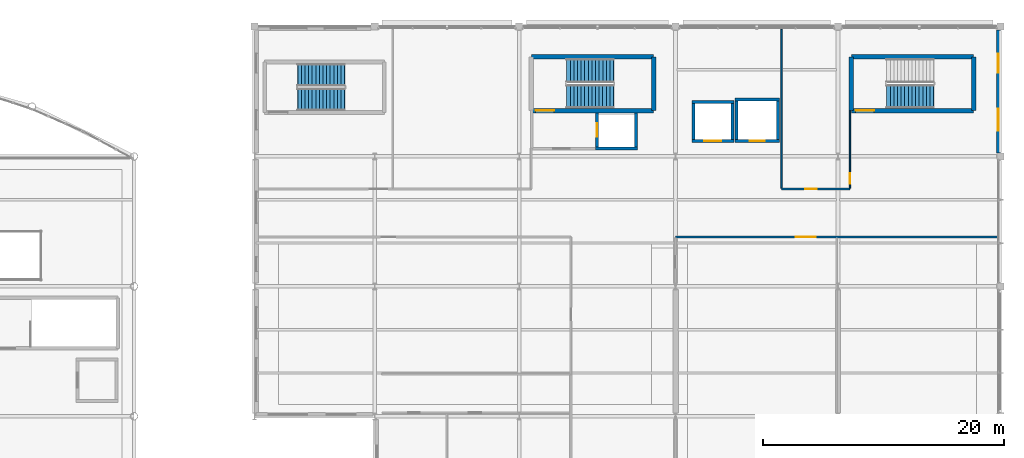
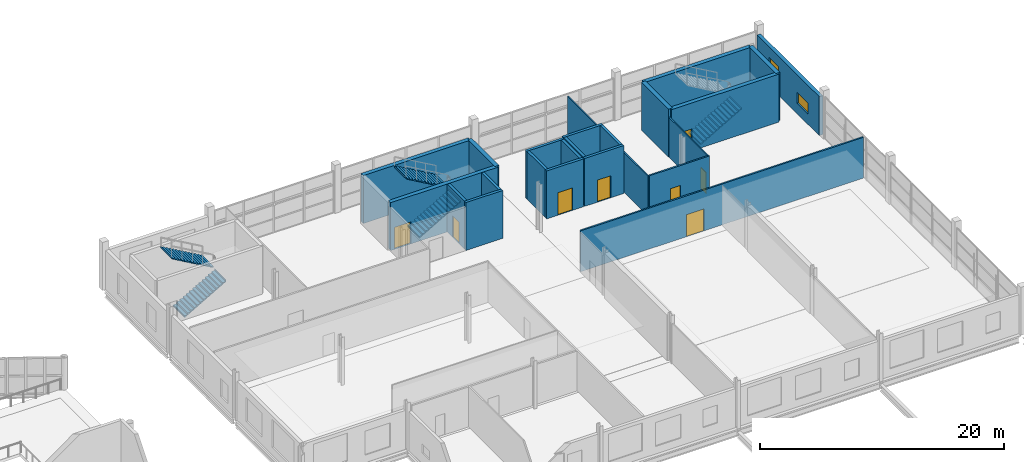
# One storey, part 126 of 134: 23 walls, 8 doors, 5 stair flights, 2 windows, 10 openings, 3 elements without a shape of their own.
"""IFC4 building model written with IfcOpenShell, lengths in metres."""

from ifc_helpers import new_model, si_unit, direction, frame, frame_2d, origin, place, context, subcontext, project, spatial, polyline, rectangle, outline, extrude, material, layer, layer_set, type_object, element, fill, aggregate, save


model = new_model("IFC4")

# Units and contexts
model_context = context("Model", 3, precision=1e-05, world=origin(), true_north=direction((0.0, 1.0)))
body_context = subcontext(model_context, "Body", "Model", "MODEL_VIEW")
ifc_project = project(units=[si_unit("LENGTHUNIT", "METRE"), si_unit("AREAUNIT", "SQUARE_METRE"), si_unit("VOLUMEUNIT", "CUBIC_METRE"), si_unit("PLANEANGLEUNIT", "RADIAN"), si_unit("MASSUNIT", "GRAM", prefix="KILO")], contexts=[model_context])

# Site, building, storey
site_placement = place(None, origin())
site = spatial("IfcSite", under=ifc_project, at=site_placement, CompositionType="ELEMENT")
building_placement = place(site_placement, origin())
building = spatial("IfcBuilding", under=site, at=building_placement, Name="Tamarisk Ironworks Central Station", CompositionType="ELEMENT")
storey_placement = place(building_placement, frame((0.0, 0.0, 12.60009765625)))
storey = spatial("IfcBuildingStorey", under=building, at=storey_placement, Name="L02", CompositionType="ELEMENT", Elevation=12.60009765625)

# Wall, openings, windows
ifc_material_1 = material(Name="Clay facing brickwork and mortar", Category="masonry")
ifc_layer_1 = layer(ifc_material_1, 0.340087890625)
ifc_layer_set_1 = layer_set([ifc_layer_1], Name="Clay facing brickwork and mortar")
wall_type_1 = type_object("IfcWallType", Name="WL-BR340", PredefinedType="STANDARD", material=ifc_layer_set_1)
wall_1_placement = place(storey_placement, frame((179.830078125, 122.10205078125, 0.0), z_axis=(0.0, 0.0, 1.0), x_axis=(0.0, -1.0, 0.0)))
wall_1 = element("IfcWall", 1, at=wall_1_placement, inside=storey, type_object=wall_type_1, Name="L02 brick facade wall 0067", PredefinedType="STANDARD", context=body_context, shape_type="SweptSolid", body=[
    extrude(rectangle(XDim=10.2041015625, YDim=0.340087890625, at=frame_2d((5.10205078125, 0.0))), origin(), (0.0, 0.0, 1.0), 3.89990234375),
])
opening_1_placement = place(wall_1_placement, frame((1.950927734375, 0.0, 0.75)))
opening_1 = element("IfcOpeningElement", 2, at=opening_1_placement, cuts=wall_1, Name="Opening W10", PredefinedType="OPENING", context=body_context, shape_type="SweptSolid", body=[
    extrude(rectangle(XDim=1.60009765625, YDim=2.10009765625, at=frame_2d((0.800048828125, 1.050048828125))), frame((0.0, 0.18212890625, 0.0), z_axis=(0.0, -1.0, 0.0), x_axis=(1.0, 0.0, 0.0)), (0.0, 0.0, 1.0), 0.364013671875),
])
opening_2_placement = place(wall_1_placement, frame((6.552978515625, 0.0, 1.050048828125)))
opening_2 = element("IfcOpeningElement", 3, at=opening_2_placement, cuts=wall_1, Name="Opening W18", PredefinedType="OPENING", context=body_context, shape_type="SweptSolid", body=[
    extrude(rectangle(XDim=1.800048828125, YDim=1.10009765625, at=frame_2d((0.89990234375, 0.550048828125))), frame((0.0, 0.18212890625, 0.0), z_axis=(0.0, -1.0, 0.0), x_axis=(1.0, 0.0, 0.0)), (0.0, 0.0, 1.0), 0.364013671875),
])
ifc_material_2 = material(Name="Laminated solar-control low-E glass", Category="glass")
window_type_1 = type_object("IfcWindowType", Name="WN-10", PartitioningType="SINGLE_PANEL", PredefinedType="WINDOW", material=ifc_material_2)
window_1_placement = place(opening_1_placement, origin())
window_1 = element("IfcWindow", 4, at=window_1_placement, inside=storey, type_object=window_type_1, Name="L02 exterior window 0107", OverallHeight=2.10009765625, OverallWidth=1.60009765625, PartitioningType="DOUBLE_PANEL_VERTICAL", PredefinedType="WINDOW", context=body_context, shape_type="SweptSolid", body=[
    extrude(rectangle(XDim=1.60009765625, YDim=2.10009765625, at=frame_2d((0.800048828125, 1.050048828125))), frame((0.0, 0.030029296875, 0.0), z_axis=(0.0, -1.0, 0.0), x_axis=(1.0, 0.0, 0.0)), (0.0, 0.0, 1.0), 0.06005859375),
])
fill(opening_1, window_1)
window_type_2 = type_object("IfcWindowType", Name="WN-18", PartitioningType="SINGLE_PANEL", PredefinedType="WINDOW", material=ifc_material_2)
window_2_placement = place(opening_2_placement, origin())
window_2 = element("IfcWindow", 5, at=window_2_placement, inside=storey, type_object=window_type_2, Name="L02 exterior window 0108", OverallHeight=1.10009765625, OverallWidth=1.800048828125, PartitioningType="DOUBLE_PANEL_VERTICAL", PredefinedType="WINDOW", context=body_context, shape_type="SweptSolid", body=[
    extrude(rectangle(XDim=1.800048828125, YDim=1.10009765625, at=frame_2d((0.89990234375, 0.550048828125))), frame((0.0, 0.030029296875, 0.0), z_axis=(0.0, -1.0, 0.0), x_axis=(1.0, 0.0, 0.0)), (0.0, 0.0, 1.0), 0.06005859375),
])
fill(opening_2, window_2)

# Wall, opening, door
ifc_material_3 = material(Name="Concrete C50/60", Category="concrete")
ifc_layer_2 = layer(ifc_material_3, 0.3798828125)
ifc_layer_set_2 = layer_set([ifc_layer_2], Name="Concrete C50/60")
wall_type_2 = type_object("IfcWallType", Name="WL-CW380", PredefinedType="SOLIDWALL", material=ifc_layer_set_2)
wall_2_placement = place(storey_placement, frame((141.014892578125, 115.4150390625, 0.0), z_axis=(0.0, 0.0, 1.0), x_axis=(1.0, 0.0, 0.0)))
wall_2 = element("IfcWall", 6, at=wall_2_placement, inside=storey, type_object=wall_type_2, Name="ST-C1 core wall L (L02)", PredefinedType="SOLIDWALL", context=body_context, shape_type="SweptSolid", body=[
    extrude(rectangle(XDim=10.170166015625, YDim=0.3798828125, at=frame_2d((5.0849609375, 0.0))), origin(), (0.0, 0.0, 1.0), 4.7998046875),
])
opening_3_placement = place(wall_2_placement, frame((0.35009765625, 0.0, 0.0048828125)))
opening_3 = element("IfcOpeningElement", 7, at=opening_3_placement, cuts=wall_2, Name="Opening FD04", PredefinedType="OPENING", context=body_context, shape_type="SweptSolid", body=[
    extrude(rectangle(XDim=1.550048828125, YDim=2.199951171875, at=frame_2d((0.77490234375, 1.10009765625))), frame((0.0, 0.201904296875, 0.0), z_axis=(0.0, -1.0, 0.0), x_axis=(1.0, 0.0, 0.0)), (0.0, 0.0, 1.0), 0.40380859375),
])
ifc_material_4 = material(Name="Galvanised hollow-metal door steel", Category="steel")
door_type_1 = type_object("IfcDoorType", Name="DR-FD04", OperationType="NOTDEFINED", PredefinedType="DOOR", material=ifc_material_4)
door_1_placement = place(opening_3_placement, origin())
door_1 = element("IfcDoor", 8, at=door_1_placement, inside=storey, type_object=door_type_1, Name="ST-C1 fire stair door (L02)", OperationType="SINGLE_SWING_LEFT", OverallHeight=2.199951171875, OverallWidth=1.550048828125, PredefinedType="DOOR", context=body_context, shape_type="SweptSolid", body=[
    extrude(rectangle(XDim=1.550048828125, YDim=2.199951171875, at=frame_2d((0.77490234375, 1.10009765625))), frame((0.0, 0.02490234375, 0.0), z_axis=(0.0, -1.0, 0.0), x_axis=(1.0, 0.0, 0.0)), (0.0, 0.0, 1.0), 0.050048828125),
])
fill(opening_3, door_1)

# Walls
wall_3_placement = place(storey_placement, frame((141.014892578125, 119.885009765625, 0.0), z_axis=(0.0, 0.0, 1.0), x_axis=(1.0, 0.0, 0.0)))
element("IfcWall", 9, at=wall_3_placement, inside=storey, type_object=wall_type_2, Name="ST-C1 core wall R (L02)", PredefinedType="SOLIDWALL", context=body_context, shape_type="SweptSolid", body=[
    extrude(rectangle(XDim=10.170166015625, YDim=0.3798828125, at=frame_2d((5.0849609375, 0.0))), origin(), (0.0, 0.0, 1.0), 4.7998046875),
])
wall_4_placement = place(storey_placement, frame((151.18505859375, 115.4150390625, 0.0), z_axis=(0.0, 0.0, 1.0), x_axis=(0.0, 1.0, 0.0)))
element("IfcWall", 10, at=wall_4_placement, inside=storey, type_object=wall_type_2, Name="ST-C1 core wall F (L02)", PredefinedType="SOLIDWALL", context=body_context, shape_type="SweptSolid", body=[
    extrude(rectangle(XDim=4.469970703125, YDim=0.3798828125, at=frame_2d((2.23486328125, 0.0))), origin(), (0.0, 0.0, 1.0), 4.7998046875),
])

# Wall, opening, door
wall_5_placement = place(storey_placement, frame((167.614990234375, 115.4150390625, 0.0), z_axis=(0.0, 0.0, 1.0), x_axis=(1.0, 0.0, 0.0)))
wall_5 = element("IfcWall", 11, at=wall_5_placement, inside=storey, type_object=wall_type_2, Name="ST-C2 core wall L (L02)", PredefinedType="SOLIDWALL", context=body_context, shape_type="SweptSolid", body=[
    extrude(rectangle(XDim=10.169921875, YDim=0.3798828125, at=frame_2d((5.0849609375, 0.0))), origin(), (0.0, 0.0, 1.0), 4.7998046875),
])
opening_4_placement = place(wall_5_placement, frame((0.35009765625, 0.0, 0.0048828125)))
opening_4 = element("IfcOpeningElement", 12, at=opening_4_placement, cuts=wall_5, Name="Opening FD04", PredefinedType="OPENING", context=body_context, shape_type="SweptSolid", body=[
    extrude(rectangle(XDim=1.550048828125, YDim=2.199951171875, at=frame_2d((0.77490234375, 1.10009765625))), frame((0.0, 0.201904296875, 0.0), z_axis=(0.0, -1.0, 0.0), x_axis=(1.0, 0.0, 0.0)), (0.0, 0.0, 1.0), 0.40380859375),
])
door_2_placement = place(opening_4_placement, origin())
door_2 = element("IfcDoor", 13, at=door_2_placement, inside=storey, type_object=door_type_1, Name="ST-C2 fire stair door (L02)", OperationType="SINGLE_SWING_LEFT", OverallHeight=2.199951171875, OverallWidth=1.550048828125, PredefinedType="DOOR", context=body_context, shape_type="SweptSolid", body=[
    extrude(rectangle(XDim=1.550048828125, YDim=2.199951171875, at=frame_2d((0.77490234375, 1.10009765625))), frame((0.0, 0.02490234375, 0.0), z_axis=(0.0, -1.0, 0.0), x_axis=(1.0, 0.0, 0.0)), (0.0, 0.0, 1.0), 0.050048828125),
])
fill(opening_4, door_2)

# Walls
wall_6_placement = place(storey_placement, frame((167.614990234375, 119.885009765625, 0.0), z_axis=(0.0, 0.0, 1.0), x_axis=(1.0, 0.0, 0.0)))
element("IfcWall", 14, at=wall_6_placement, inside=storey, type_object=wall_type_2, Name="ST-C2 core wall R (L02)", PredefinedType="SOLIDWALL", context=body_context, shape_type="SweptSolid", body=[
    extrude(rectangle(XDim=10.169921875, YDim=0.3798828125, at=frame_2d((5.0849609375, 0.0))), origin(), (0.0, 0.0, 1.0), 4.7998046875),
])
for number, where, z_axis, x_axis, name in (
    (15, (167.614990234375, 115.4150390625, 0.0), (0.0, 0.0, 1.0), (0.0, 1.0, 0.0), "ST-C2 core wall N (L02)"),
    (16, (177.784912109375, 115.4150390625, 0.0), (0.0, 0.0, 1.0), (0.0, 1.0, 0.0), "ST-C2 core wall F (L02)"),
):
    element("IfcWall", number, at=place(storey_placement, frame(where, z_axis=z_axis, x_axis=x_axis)), inside=storey, type_object=wall_type_2, Name=name, PredefinedType="SOLIDWALL", context=body_context, shape_type="SweptSolid", body=[
        extrude(rectangle(XDim=4.469970703125, YDim=0.3798828125, at=frame_2d((2.23486328125, 0.0))), origin(), (0.0, 0.0, 1.0), 4.7998046875),
    ])

# Wall, opening, door
ifc_material_5 = material(Name="Gypsum plasterboard acoustic partition")
ifc_layer_3 = layer(ifc_material_5, 0.1201171875)
ifc_layer_set_3 = layer_set([ifc_layer_3], Name="Gypsum plasterboard acoustic partition")
wall_type_3 = type_object("IfcWallType", Name="WL-PT120", PredefinedType="PARTITIONING", material=ifc_layer_set_3)
wall_7_placement = place(storey_placement, frame((167.5, 108.972900390625, 0.0), z_axis=(0.0, 0.0, 1.0), x_axis=(0.0, 1.0, 0.0)))
wall_7 = element("IfcWall", 17, at=wall_7_placement, inside=storey, type_object=wall_type_3, Name="L02 interior partition 0097", PredefinedType="PARTITIONING", context=body_context, shape_type="SweptSolid", body=[
    extrude(rectangle(XDim=6.427001953125, YDim=0.1201171875, at=frame_2d((3.21337890625, 0.0))), origin(), (0.0, 0.0, 1.0), 3.989990234375),
])
opening_5_placement = place(wall_7_placement, frame((0.35009765625, 0.0, 0.0048828125)))
opening_5 = element("IfcOpeningElement", 18, at=opening_5_placement, cuts=wall_7, Name="Opening D08", PredefinedType="OPENING", context=body_context, shape_type="SweptSolid", body=[
    extrude(rectangle(XDim=0.89990234375, YDim=2.10009765625, at=frame_2d((0.449951171875, 1.050048828125))), frame((0.0, 0.072021484375, 0.0), z_axis=(0.0, -1.0, 0.0), x_axis=(1.0, 0.0, 0.0)), (0.0, 0.0, 1.0), 0.14404296875),
])
ifc_material_6 = material(Name="FSC certified tropical hardwood timber", Category="wood")
door_type_2 = type_object("IfcDoorType", Name="DR-ID08", OperationType="NOTDEFINED", PredefinedType="DOOR", material=ifc_material_6)
door_3_placement = place(opening_5_placement, origin())
door_3 = element("IfcDoor", 19, at=door_3_placement, inside=storey, type_object=door_type_2, Name="L02 room door 0070", OperationType="SINGLE_SWING_RIGHT", OverallHeight=2.10009765625, OverallWidth=0.89990234375, PredefinedType="DOOR", context=body_context, shape_type="SweptSolid", body=[
    extrude(rectangle(XDim=0.89990234375, YDim=2.10009765625, at=frame_2d((0.449951171875, 1.050048828125))), frame((0.0, 0.02490234375, 0.0), z_axis=(0.0, -1.0, 0.0), x_axis=(1.0, 0.0, 0.0)), (0.0, 0.0, 1.0), 0.050048828125),
])
fill(opening_5, door_3)

# Wall
wall_8_placement = place(storey_placement, frame((161.800048828125, 108.972900390625, 0.0), z_axis=(0.0, 0.0, 1.0), x_axis=(0.0, 1.0, 0.0)))
element("IfcWall", 20, at=wall_8_placement, inside=storey, type_object=wall_type_3, Name="L02 interior partition 0098", PredefinedType="PARTITIONING", context=body_context, shape_type="SweptSolid", body=[
    extrude(rectangle(XDim=13.189208984375, YDim=0.1201171875, at=frame_2d((6.5947265625, 0.0))), origin(), (0.0, 0.0, 1.0), 3.989990234375),
])

# Wall, opening, door
ifc_layer_4 = layer(ifc_material_5, 0.14990234375)
ifc_layer_set_4 = layer_set([ifc_layer_4], Name="Gypsum plasterboard acoustic partition")
wall_type_4 = type_object("IfcWallType", Name="WL-PT150", PredefinedType="PARTITIONING", material=ifc_layer_set_4)
wall_9_placement = place(storey_placement, frame((153.0, 104.89990234375, 0.0), z_axis=(0.0, 0.0, 1.0), x_axis=(1.0, 0.0, 0.0)))
wall_9 = element("IfcWall", 21, at=wall_9_placement, inside=storey, type_object=wall_type_4, Name="L02 interior partition 0088", PredefinedType="PARTITIONING", context=body_context, shape_type="SweptSolid", body=[
    extrude(rectangle(XDim=26.761962890625, YDim=0.14990234375, at=frame_2d((13.380859375, 0.0))), origin(), (0.0, 0.0, 1.0), 4.08984375),
])
opening_6_placement = place(wall_9_placement, frame((10.0, 0.0, 0.0048828125)))
opening_6 = element("IfcOpeningElement", 22, at=opening_6_placement, cuts=wall_9, Name="Opening D03", PredefinedType="OPENING", context=body_context, shape_type="SweptSolid", body=[
    extrude(rectangle(XDim=1.64990234375, YDim=2.199951171875, at=frame_2d((0.824951171875, 1.10009765625))), frame((0.0, 0.0869140625, 0.0), z_axis=(0.0, -1.0, 0.0), x_axis=(1.0, 0.0, 0.0)), (0.0, 0.0, 1.0), 0.173828125),
])
door_type_3 = type_object("IfcDoorType", Name="DR-ID03", OperationType="NOTDEFINED", PredefinedType="DOOR", material=ifc_material_6)
door_4_placement = place(opening_6_placement, origin())
door_4 = element("IfcDoor", 23, at=door_4_placement, inside=storey, type_object=door_type_3, Name="L02 room door 0065", OperationType="DOUBLE_DOOR_SINGLE_SWING", OverallHeight=2.199951171875, OverallWidth=1.64990234375, PredefinedType="DOOR", context=body_context, shape_type="SweptSolid", body=[
    extrude(rectangle(XDim=1.64990234375, YDim=2.199951171875, at=frame_2d((0.824951171875, 1.10009765625))), frame((0.0, 0.02490234375, 0.0), z_axis=(0.0, -1.0, 0.0), x_axis=(1.0, 0.0, 0.0)), (0.0, 0.0, 1.0), 0.050048828125),
])
fill(opening_6, door_4)

wall_10_placement = place(storey_placement, frame((161.800048828125, 108.89990234375, 0.0), z_axis=(0.0, 0.0, 1.0), x_axis=(1.0, 0.0, 0.0)))
wall_10 = element("IfcWall", 24, at=wall_10_placement, inside=storey, type_object=wall_type_4, Name="L02 interior partition 0096", PredefinedType="PARTITIONING", context=body_context, shape_type="SweptSolid", body=[
    extrude(rectangle(XDim=5.699951171875, YDim=0.14990234375, at=frame_2d((2.85009765625, 0.0))), origin(), (0.0, 0.0, 1.0), 4.08984375),
])
opening_7_placement = place(wall_10_placement, frame((2.0, 0.0, 0.0048828125)))
opening_7 = element("IfcOpeningElement", 25, at=opening_7_placement, cuts=wall_10, Name="Opening D07", PredefinedType="OPENING", context=body_context, shape_type="SweptSolid", body=[
    extrude(rectangle(XDim=0.949951171875, YDim=2.10009765625, at=frame_2d((0.47509765625, 1.050048828125))), frame((0.0, 0.0869140625, 0.0), z_axis=(0.0, -1.0, 0.0), x_axis=(1.0, 0.0, 0.0)), (0.0, 0.0, 1.0), 0.173828125),
])
door_type_4 = type_object("IfcDoorType", Name="DR-ID07", OperationType="NOTDEFINED", PredefinedType="DOOR", material=ifc_material_6)
door_5_placement = place(opening_7_placement, origin())
door_5 = element("IfcDoor", 26, at=door_5_placement, inside=storey, type_object=door_type_4, Name="L02 room door 0069", OperationType="SINGLE_SWING_LEFT", OverallHeight=2.10009765625, OverallWidth=0.949951171875, PredefinedType="DOOR", context=body_context, shape_type="SweptSolid", body=[
    extrude(rectangle(XDim=0.949951171875, YDim=2.10009765625, at=frame_2d((0.47509765625, 1.050048828125))), frame((0.0, 0.02490234375, 0.0), z_axis=(0.0, -1.0, 0.0), x_axis=(1.0, 0.0, 0.0)), (0.0, 0.0, 1.0), 0.050048828125),
])
fill(opening_7, door_5)

# Wall
ifc_layer_5 = layer(ifc_material_3, 0.25)
ifc_layer_set_5 = layer_set([ifc_layer_5], Name="Concrete C50/60")
wall_type_5 = type_object("IfcWallType", Name="WL-SH250", PredefinedType="SOLIDWALL", material=ifc_layer_set_5)
wall_11_placement = place(storey_placement, frame((146.35009765625, 112.27490234375, 0.0), z_axis=(0.0, 0.0, 1.0), x_axis=(1.0, 0.0, 0.0)))
element("IfcWall", 27, at=wall_11_placement, inside=storey, type_object=wall_type_5, Name="LF-FF1 lift shaft wall S (L02)", PredefinedType="SOLIDWALL", context=body_context, shape_type="SweptSolid", body=[
    extrude(rectangle(XDim=3.5, YDim=0.25, at=frame_2d((1.75, 0.0))), origin(), (0.0, 0.0, 1.0), 4.7998046875),
])

# Wall, opening, door
wall_12_placement = place(storey_placement, frame((146.47509765625, 112.39990234375, 0.0), z_axis=(0.0, 0.0, 1.0), x_axis=(0.0, 1.0, 0.0)))
wall_12 = element("IfcWall", 28, at=wall_12_placement, inside=storey, type_object=wall_type_5, Name="LF-FF1 lift shaft wall W (L02)", PredefinedType="SOLIDWALL", context=body_context, shape_type="SweptSolid", body=[
    extrude(rectangle(XDim=2.800048828125, YDim=0.25, at=frame_2d((1.39990234375, 0.0))), origin(), (0.0, 0.0, 1.0), 4.7998046875),
])
opening_8_placement = place(wall_12_placement, frame((0.85009765625, 0.0, 0.0048828125)))
opening_8 = element("IfcOpeningElement", 29, at=opening_8_placement, cuts=wall_12, Name="Opening LD03", PredefinedType="OPENING", context=body_context, shape_type="SweptSolid", body=[
    extrude(rectangle(XDim=1.10009765625, YDim=2.14990234375, at=frame_2d((0.550048828125, 1.074951171875))), frame((0.0, 0.136962890625, 0.0), z_axis=(0.0, -1.0, 0.0), x_axis=(1.0, 0.0, 0.0)), (0.0, 0.0, 1.0), 0.27392578125),
])
ifc_material_7 = material(Name="Brushed stainless steel AISI 316", Category="steel")
door_type_5 = type_object("IfcDoorType", Name="DR-LD03", OperationType="NOTDEFINED", PredefinedType="DOOR", material=ifc_material_7)
door_6_placement = place(opening_8_placement, origin())
door_6 = element("IfcDoor", 30, at=door_6_placement, inside=storey, type_object=door_type_5, Name="LF-FF1 sliding lift landing door (L02)", OperationType="SLIDING_TO_LEFT", OverallHeight=2.14990234375, OverallWidth=1.10009765625, PredefinedType="DOOR", context=body_context, shape_type="SweptSolid", body=[
    extrude(rectangle(XDim=1.10009765625, YDim=2.14990234375, at=frame_2d((0.550048828125, 1.074951171875))), frame((0.0, 0.02490234375, 0.0), z_axis=(0.0, -1.0, 0.0), x_axis=(1.0, 0.0, 0.0)), (0.0, 0.0, 1.0), 0.050048828125),
])
fill(opening_8, door_6)

# Wall
wall_13_placement = place(storey_placement, frame((149.72509765625, 112.39990234375, 0.0), z_axis=(0.0, 0.0, 1.0), x_axis=(0.0, 1.0, 0.0)))
element("IfcWall", 31, at=wall_13_placement, inside=storey, type_object=wall_type_5, Name="LF-FF1 lift shaft wall E (L02)", PredefinedType="SOLIDWALL", context=body_context, shape_type="SweptSolid", body=[
    extrude(rectangle(XDim=2.800048828125, YDim=0.25, at=frame_2d((1.39990234375, 0.0))), origin(), (0.0, 0.0, 1.0), 4.7998046875),
])

# Wall, opening, door
wall_14_placement = place(storey_placement, frame((154.35009765625, 112.875, 0.0), z_axis=(0.0, 0.0, 1.0), x_axis=(1.0, 0.0, 0.0)))
wall_14 = element("IfcWall", 32, at=wall_14_placement, inside=storey, type_object=wall_type_5, Name="LF-O1 lift shaft wall S (L02)", PredefinedType="SOLIDWALL", context=body_context, shape_type="SweptSolid", body=[
    extrude(rectangle(XDim=3.5, YDim=0.25, at=frame_2d((1.75, 0.0))), origin(), (0.0, 0.0, 1.0), 4.7998046875),
])
opening_9_placement = place(wall_14_placement, frame((1.050048828125, 0.0, 0.0048828125)))
opening_9 = element("IfcOpeningElement", 33, at=opening_9_placement, cuts=wall_14, Name="Opening LD01", PredefinedType="OPENING", context=body_context, shape_type="SweptSolid", body=[
    extrude(rectangle(XDim=1.39990234375, YDim=2.25, at=frame_2d((0.699951171875, 1.125))), frame((0.0, 0.136962890625, 0.0), z_axis=(0.0, -1.0, 0.0), x_axis=(1.0, 0.0, 0.0)), (0.0, 0.0, 1.0), 0.27392578125),
])
door_type_6 = type_object("IfcDoorType", Name="DR-LD01", OperationType="NOTDEFINED", PredefinedType="DOOR", material=ifc_material_7)
door_7_placement = place(opening_9_placement, origin())
door_7 = element("IfcDoor", 34, at=door_7_placement, inside=storey, type_object=door_type_6, Name="LF-O1 sliding lift landing door (L02)", OperationType="SLIDING_TO_LEFT", OverallHeight=2.25, OverallWidth=1.39990234375, PredefinedType="DOOR", context=body_context, shape_type="SweptSolid", body=[
    extrude(rectangle(XDim=1.39990234375, YDim=2.25, at=frame_2d((0.699951171875, 1.125))), frame((0.0, 0.02490234375, 0.0), z_axis=(0.0, -1.0, 0.0), x_axis=(1.0, 0.0, 0.0)), (0.0, 0.0, 1.0), 0.050048828125),
])
fill(opening_9, door_7)

# Walls
wall_15_placement = place(storey_placement, frame((154.35009765625, 116.125, 0.0), z_axis=(0.0, 0.0, 1.0), x_axis=(1.0, 0.0, 0.0)))
element("IfcWall", 35, at=wall_15_placement, inside=storey, type_object=wall_type_5, Name="LF-O1 lift shaft wall N (L02)", PredefinedType="SOLIDWALL", context=body_context, shape_type="SweptSolid", body=[
    extrude(rectangle(XDim=3.5, YDim=0.25, at=frame_2d((1.75, 0.0))), origin(), (0.0, 0.0, 1.0), 4.7998046875),
])
for number, where, z_axis, x_axis, name in (
    (36, (154.47509765625, 113.0, 0.0), (0.0, 0.0, 1.0), (0.0, 1.0, 0.0), "LF-O1 lift shaft wall W (L02)"),
    (37, (157.72509765625, 113.0, 0.0), (0.0, 0.0, 1.0), (0.0, 1.0, 0.0), "LF-O1 lift shaft wall E (L02)"),
):
    element("IfcWall", number, at=place(storey_placement, frame(where, z_axis=z_axis, x_axis=x_axis)), inside=storey, type_object=wall_type_5, Name=name, PredefinedType="SOLIDWALL", context=body_context, shape_type="SweptSolid", body=[
        extrude(rectangle(XDim=3.0, YDim=0.25, at=frame_2d((1.5, 0.0))), origin(), (0.0, 0.0, 1.0), 4.7998046875),
    ])

# Wall, opening, door
wall_16_placement = place(storey_placement, frame((157.949951171875, 112.875, 0.0), z_axis=(0.0, 0.0, 1.0), x_axis=(1.0, 0.0, 0.0)))
wall_16 = element("IfcWall", 38, at=wall_16_placement, inside=storey, type_object=wall_type_5, Name="LF-O2 lift shaft wall S (L02)", PredefinedType="SOLIDWALL", context=body_context, shape_type="SweptSolid", body=[
    extrude(rectangle(XDim=3.699951171875, YDim=0.25, at=frame_2d((1.85009765625, 0.0))), origin(), (0.0, 0.0, 1.0), 4.7998046875),
])
opening_10_placement = place(wall_16_placement, frame((1.22509765625, 0.0, 0.0048828125)))
opening_10 = element("IfcOpeningElement", 39, at=opening_10_placement, cuts=wall_16, Name="Opening LD02", PredefinedType="OPENING", context=body_context, shape_type="SweptSolid", body=[
    extrude(rectangle(XDim=1.25, YDim=2.199951171875, at=frame_2d((0.625, 1.10009765625))), frame((0.0, 0.136962890625, 0.0), z_axis=(0.0, -1.0, 0.0), x_axis=(1.0, 0.0, 0.0)), (0.0, 0.0, 1.0), 0.27392578125),
])
door_type_7 = type_object("IfcDoorType", Name="DR-LD02", OperationType="NOTDEFINED", PredefinedType="DOOR", material=ifc_material_7)
door_8_placement = place(opening_10_placement, origin())
door_8 = element("IfcDoor", 40, at=door_8_placement, inside=storey, type_object=door_type_7, Name="LF-O2 sliding lift landing door (L02)", OperationType="SLIDING_TO_LEFT", OverallHeight=2.199951171875, OverallWidth=1.25, PredefinedType="DOOR", context=body_context, shape_type="SweptSolid", body=[
    extrude(rectangle(XDim=1.25, YDim=2.199951171875, at=frame_2d((0.625, 1.10009765625))), frame((0.0, 0.02490234375, 0.0), z_axis=(0.0, -1.0, 0.0), x_axis=(1.0, 0.0, 0.0)), (0.0, 0.0, 1.0), 0.050048828125),
])
fill(opening_10, door_8)

# Walls
wall_17_placement = place(storey_placement, frame((157.949951171875, 116.324951171875, 0.0), z_axis=(0.0, 0.0, 1.0), x_axis=(1.0, 0.0, 0.0)))
element("IfcWall", 41, at=wall_17_placement, inside=storey, type_object=wall_type_5, Name="LF-O2 lift shaft wall N (L02)", PredefinedType="SOLIDWALL", context=body_context, shape_type="SweptSolid", body=[
    extrude(rectangle(XDim=3.699951171875, YDim=0.25, at=frame_2d((1.85009765625, 0.0))), origin(), (0.0, 0.0, 1.0), 4.7998046875),
])
for number, where, z_axis, x_axis, name in (
    (42, (158.074951171875, 113.0, 0.0), (0.0, 0.0, 1.0), (0.0, 1.0, 0.0), "LF-O2 lift shaft wall W (L02)"),
    (43, (161.52490234375, 113.0, 0.0), (0.0, 0.0, 1.0), (0.0, 1.0, 0.0), "LF-O2 lift shaft wall E (L02)"),
):
    element("IfcWall", number, at=place(storey_placement, frame(where, z_axis=z_axis, x_axis=x_axis)), inside=storey, type_object=wall_type_5, Name=name, PredefinedType="SOLIDWALL", context=body_context, shape_type="SweptSolid", body=[
        extrude(rectangle(XDim=3.199951171875, YDim=0.25, at=frame_2d((1.60009765625, 0.0))), origin(), (0.0, 0.0, 1.0), 4.7998046875),
    ])

# Stair, stair flights
ifc_material_8 = material(Name="Concrete C35/45", Category="concrete")
stair_type_1 = type_object("IfcStairType", Name="ST-CORE-A", PredefinedType="HALF_TURN_STAIR", material=ifc_material_8)
stair_1_placement = place(storey_placement, origin())
stair_1 = element("IfcStair", 44, at=stair_1_placement, inside=storey, type_object=stair_type_1, Name="L02 Firefighting Exit Stair Core 1", PredefinedType="HALF_TURN_STAIR")
stair_flight_type_1 = type_object("IfcStairFlightType", Name="SF-CORE-A", PredefinedType="STRAIGHT", material=ifc_material_8)
stair_flight_1_placement = place(storey_placement, frame((143.949951171875, 116.574951171875, 0.0), z_axis=(0.0, 0.0, 1.0), x_axis=(1.0, 0.0, 0.0)))
stair_flight_1 = element("IfcStairFlight", 45, at=stair_flight_1_placement, type_object=stair_flight_type_1, Name="ST-C1 flight 1", NumberOfRisers=14, NumberOfTreads=13, PredefinedType="STRAIGHT", RiserHeight=0.171428571, TreadLength=0.3, context=body_context, shape_type="SweptSolid", body=[
    extrude(outline(polyline([(-0.01806640625, 0.0), (-0.01806640625, 0.111328125), (0.0, 0.111328125), (0.0, 0.17138671875), (0.300048828125, 0.17138671875), (0.300048828125, 0.3427734375), (0.60009765625, 0.3427734375), (0.60009765625, 0.514404296875), (0.89990234375, 0.514404296875), (0.89990234375, 0.685791015625), (1.199951171875, 0.685791015625), (1.199951171875, 0.857177734375), (1.5, 0.857177734375), (1.5, 1.028564453125), (1.800048828125, 1.028564453125), (1.800048828125, 1.199951171875), (2.10009765625, 1.199951171875), (2.10009765625, 1.371337890625), (2.39990234375, 1.371337890625), (2.39990234375, 1.54296875), (2.699951171875, 1.54296875), (2.699951171875, 1.71435546875), (3.0, 1.71435546875), (3.0, 1.8857421875), (3.300048828125, 1.8857421875), (3.300048828125, 2.05712890625), (3.60009765625, 2.05712890625), (3.60009765625, 2.228515625), (3.89990234375, 2.228515625), (3.89990234375, 2.39990234375), (3.91796875, 2.39990234375), (3.91796875, 2.2099609375), (0.080078125, 0.0), (-0.01806640625, 0.0)])), frame((0.0, 0.97509765625, 0.0), z_axis=(0.0, -1.0, 0.0), x_axis=(1.0, 0.0, 0.0)), (0.0, 0.0, 1.0), 1.949951171875),
])
stair_flight_2_placement = place(storey_placement, frame((147.85009765625, 118.72509765625, 2.39990234375), z_axis=(0.0, 0.0, 1.0), x_axis=(-1.0, 0.0, 0.0)))
stair_flight_2 = element("IfcStairFlight", 46, at=stair_flight_2_placement, type_object=stair_flight_type_1, Name="ST-C1 flight 2", NumberOfRisers=14, NumberOfTreads=13, PredefinedType="STRAIGHT", RiserHeight=0.171428571, TreadLength=0.3, context=body_context, shape_type="SweptSolid", body=[
    extrude(outline(polyline([(-0.01806640625, 0.0), (-0.01806640625, 0.111328125), (0.0, 0.111328125), (0.0, 0.17138671875), (0.300048828125, 0.17138671875), (0.300048828125, 0.3427734375), (0.60009765625, 0.3427734375), (0.60009765625, 0.514404296875), (0.89990234375, 0.514404296875), (0.89990234375, 0.685791015625), (1.199951171875, 0.685791015625), (1.199951171875, 0.857177734375), (1.5, 0.857177734375), (1.5, 1.028564453125), (1.800048828125, 1.028564453125), (1.800048828125, 1.199951171875), (2.10009765625, 1.199951171875), (2.10009765625, 1.371337890625), (2.39990234375, 1.371337890625), (2.39990234375, 1.54296875), (2.699951171875, 1.54296875), (2.699951171875, 1.71435546875), (3.0, 1.71435546875), (3.0, 1.8857421875), (3.300048828125, 1.8857421875), (3.300048828125, 2.05712890625), (3.60009765625, 2.05712890625), (3.60009765625, 2.228515625), (3.89990234375, 2.228515625), (3.89990234375, 2.39990234375), (3.91796875, 2.39990234375), (3.91796875, 2.2099609375), (0.080078125, 0.0), (-0.01806640625, 0.0)])), frame((0.0, 0.97509765625, 0.0), z_axis=(0.0, -1.0, 0.0), x_axis=(1.0, 0.0, 0.0)), (0.0, 0.0, 1.0), 1.949951171875),
])
aggregate(stair_1, [stair_flight_1, stair_flight_2])

# Stair, stair flight
stair_2_placement = place(storey_placement, origin())
stair_2 = element("IfcStair", 47, at=stair_2_placement, inside=storey, type_object=stair_type_1, Name="L02 East Operations Exit Stair Core 2", PredefinedType="HALF_TURN_STAIR")
stair_flight_3_placement = place(storey_placement, frame((170.550048828125, 116.574951171875, 0.0), z_axis=(0.0, 0.0, 1.0), x_axis=(1.0, 0.0, 0.0)))
stair_flight_3 = element("IfcStairFlight", 48, at=stair_flight_3_placement, type_object=stair_flight_type_1, Name="ST-C2 flight 1", NumberOfRisers=14, NumberOfTreads=13, PredefinedType="STRAIGHT", RiserHeight=0.171428571, TreadLength=0.3, context=body_context, shape_type="SweptSolid", body=[
    extrude(outline(polyline([(-0.01806640625, 0.0), (-0.01806640625, 0.111328125), (0.0, 0.111328125), (0.0, 0.17138671875), (0.300048828125, 0.17138671875), (0.300048828125, 0.3427734375), (0.60009765625, 0.3427734375), (0.60009765625, 0.514404296875), (0.89990234375, 0.514404296875), (0.89990234375, 0.685791015625), (1.199951171875, 0.685791015625), (1.199951171875, 0.857177734375), (1.5, 0.857177734375), (1.5, 1.028564453125), (1.800048828125, 1.028564453125), (1.800048828125, 1.199951171875), (2.10009765625, 1.199951171875), (2.10009765625, 1.371337890625), (2.39990234375, 1.371337890625), (2.39990234375, 1.54296875), (2.699951171875, 1.54296875), (2.699951171875, 1.71435546875), (3.0, 1.71435546875), (3.0, 1.8857421875), (3.300048828125, 1.8857421875), (3.300048828125, 2.05712890625), (3.60009765625, 2.05712890625), (3.60009765625, 2.228515625), (3.89990234375, 2.228515625), (3.89990234375, 2.39990234375), (3.91796875, 2.39990234375), (3.91796875, 2.2099609375), (0.080078125, 0.0), (-0.01806640625, 0.0)])), frame((0.0, 0.97509765625, 0.0), z_axis=(0.0, -1.0, 0.0), x_axis=(1.0, 0.0, 0.0)), (0.0, 0.0, 1.0), 1.949951171875),
])
aggregate(stair_2, [stair_flight_3])

# Stair, stair flights
stair_type_2 = type_object("IfcStairType", Name="ST-CORE-C", PredefinedType="HALF_TURN_STAIR", material=ifc_material_8)
stair_3_placement = place(storey_placement, origin())
stair_3 = element("IfcStair", 49, at=stair_3_placement, inside=storey, type_object=stair_type_2, Name="L02 Courtyard Exit Stair Core 5", PredefinedType="HALF_TURN_STAIR")
stair_flight_type_2 = type_object("IfcStairFlightType", Name="SF-CORE-C", PredefinedType="STRAIGHT", material=ifc_material_8)
stair_flight_4_placement = place(storey_placement, frame((121.60009765625, 116.324951171875, 0.0), z_axis=(0.0, 0.0, 1.0), x_axis=(1.0, 0.0, 0.0)))
stair_flight_4 = element("IfcStairFlight", 50, at=stair_flight_4_placement, type_object=stair_flight_type_2, Name="ST-C5 flight 1", NumberOfRisers=14, NumberOfTreads=13, PredefinedType="STRAIGHT", RiserHeight=0.171428571, TreadLength=0.3, context=body_context, shape_type="SweptSolid", body=[
    extrude(outline(polyline([(-0.01806640625, 0.0), (-0.01806640625, 0.111328125), (0.0, 0.111328125), (0.0, 0.17138671875), (0.300048828125, 0.17138671875), (0.300048828125, 0.3427734375), (0.60009765625, 0.3427734375), (0.60009765625, 0.514404296875), (0.89990234375, 0.514404296875), (0.89990234375, 0.685791015625), (1.199951171875, 0.685791015625), (1.199951171875, 0.857177734375), (1.5, 0.857177734375), (1.5, 1.028564453125), (1.800048828125, 1.028564453125), (1.800048828125, 1.199951171875), (2.10009765625, 1.199951171875), (2.10009765625, 1.371337890625), (2.39990234375, 1.371337890625), (2.39990234375, 1.54296875), (2.699951171875, 1.54296875), (2.699951171875, 1.71435546875), (3.0, 1.71435546875), (3.0, 1.8857421875), (3.300048828125, 1.8857421875), (3.300048828125, 2.05712890625), (3.60009765625, 2.05712890625), (3.60009765625, 2.228515625), (3.89990234375, 2.228515625), (3.89990234375, 2.39990234375), (3.91796875, 2.39990234375), (3.91796875, 2.2099609375), (0.080078125, 0.0), (-0.01806640625, 0.0)])), frame((0.0, 0.925048828125, 0.0), z_axis=(0.0, -1.0, 0.0), x_axis=(1.0, 0.0, 0.0)), (0.0, 0.0, 1.0), 1.85009765625),
])
stair_flight_5_placement = place(storey_placement, frame((125.5, 118.375, 2.39990234375), z_axis=(0.0, 0.0, 1.0), x_axis=(-1.0, 0.0, 0.0)))
stair_flight_5 = element("IfcStairFlight", 51, at=stair_flight_5_placement, type_object=stair_flight_type_2, Name="ST-C5 flight 2", NumberOfRisers=14, NumberOfTreads=13, PredefinedType="STRAIGHT", RiserHeight=0.171428571, TreadLength=0.3, context=body_context, shape_type="SweptSolid", body=[
    extrude(outline(polyline([(-0.01806640625, 0.0), (-0.01806640625, 0.111328125), (0.0, 0.111328125), (0.0, 0.17138671875), (0.300048828125, 0.17138671875), (0.300048828125, 0.3427734375), (0.60009765625, 0.3427734375), (0.60009765625, 0.514404296875), (0.89990234375, 0.514404296875), (0.89990234375, 0.685791015625), (1.199951171875, 0.685791015625), (1.199951171875, 0.857177734375), (1.5, 0.857177734375), (1.5, 1.028564453125), (1.800048828125, 1.028564453125), (1.800048828125, 1.199951171875), (2.10009765625, 1.199951171875), (2.10009765625, 1.371337890625), (2.39990234375, 1.371337890625), (2.39990234375, 1.54296875), (2.699951171875, 1.54296875), (2.699951171875, 1.71435546875), (3.0, 1.71435546875), (3.0, 1.8857421875), (3.300048828125, 1.8857421875), (3.300048828125, 2.05712890625), (3.60009765625, 2.05712890625), (3.60009765625, 2.228515625), (3.89990234375, 2.228515625), (3.89990234375, 2.39990234375), (3.91796875, 2.39990234375), (3.91796875, 2.2099609375), (0.080078125, 0.0), (-0.01806640625, 0.0)])), frame((0.0, 0.925048828125, 0.0), z_axis=(0.0, -1.0, 0.0), x_axis=(1.0, 0.0, 0.0)), (0.0, 0.0, 1.0), 1.85009765625),
])
aggregate(stair_3, [stair_flight_4, stair_flight_5])

save(model, "model.ifc")
